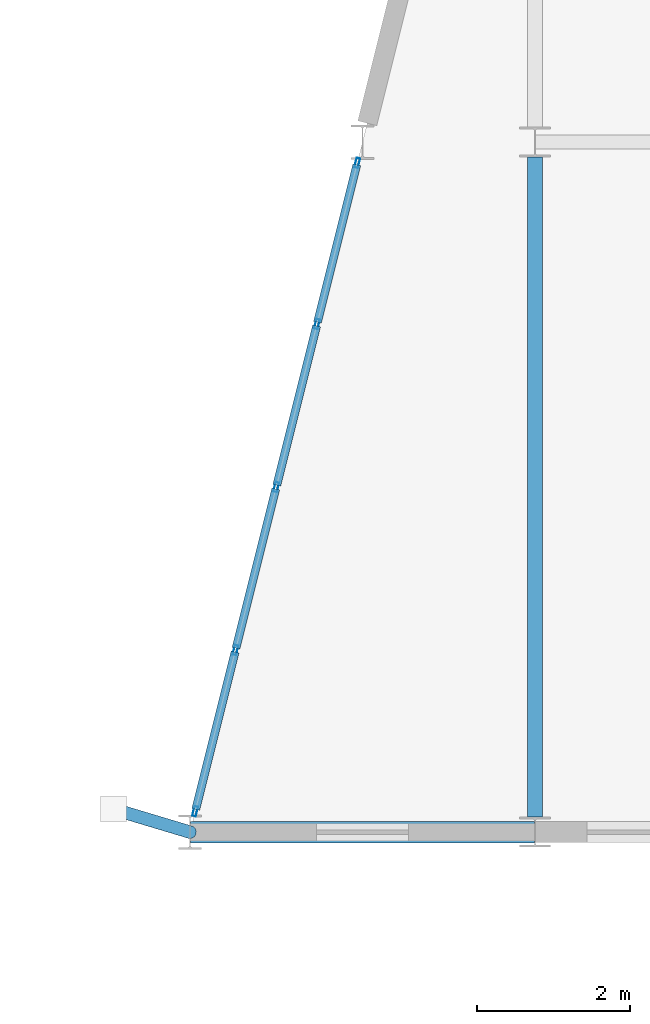
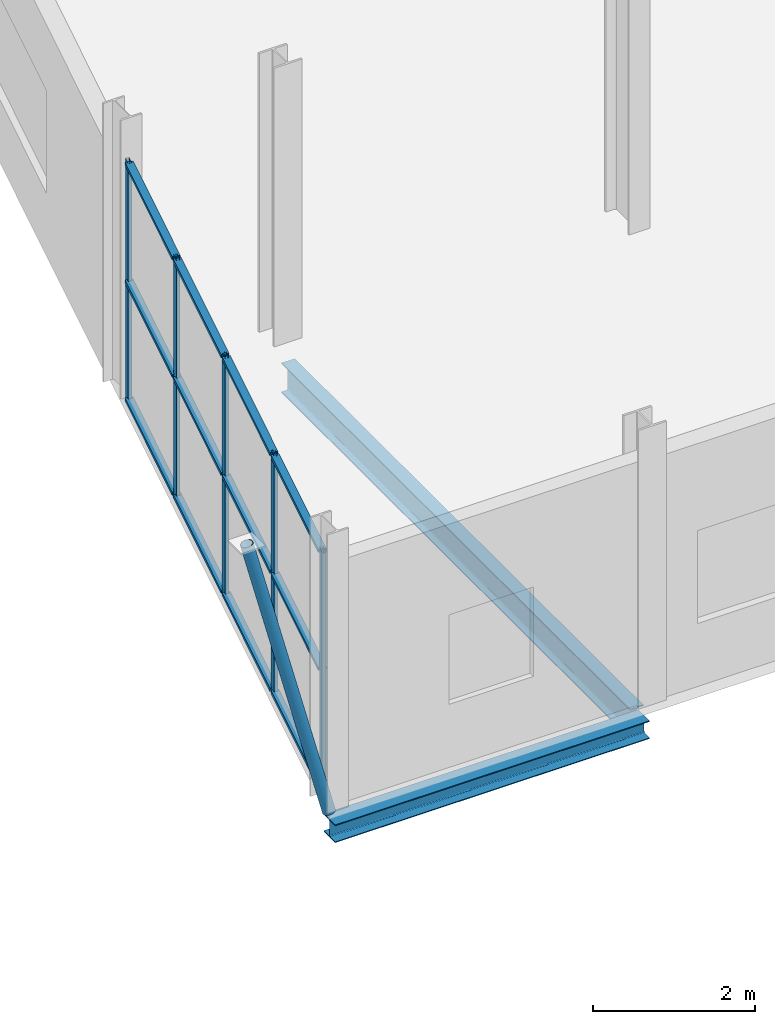
# One storey, part 15 of 88: 18 members, 2 beams, 1 element without a shape of its own.
"""IFC4 building model written with IfcOpenShell, lengths in metres."""

from ifc_helpers import new_model, si_unit, direction, frame, origin, origin_2d, place, context, subcontext, project, spatial, hollow_rectangle, hollow_circle, i_section, extrude, material, layer, layer_set, material_profile, profile_set, type_object, element, aggregate, save


model = new_model("IFC4")

# Units and contexts
model_context = context("Model", 3, precision=1e-05, world=origin(), true_north=direction((0.0, 1.0)))
body_context = subcontext(model_context, "Body", "Model", "MODEL_VIEW")
ifc_project = project(units=[si_unit("LENGTHUNIT", "METRE"), si_unit("AREAUNIT", "SQUARE_METRE"), si_unit("VOLUMEUNIT", "CUBIC_METRE"), si_unit("PLANEANGLEUNIT", "RADIAN"), si_unit("MASSUNIT", "GRAM", prefix="KILO")], contexts=[model_context])

# Site, building, storey
site_placement = place(None, origin())
site = spatial("IfcSite", under=ifc_project, at=site_placement, CompositionType="ELEMENT")
building_placement = place(site_placement, origin())
building = spatial("IfcBuilding", under=site, at=building_placement, Name="Deido Ridge Mobility Hub", CompositionType="ELEMENT")
storey_placement = place(building_placement, frame((0.0, 0.0, 16.800048828125)))
storey = spatial("IfcBuildingStorey", under=building, at=storey_placement, Name="L04", CompositionType="ELEMENT", Elevation=16.800048828125)

# Beam
ifc_material_1 = material(Name="Steel S355J2 EN 10025-2", Category="steel")
ifc_material_profile_1 = material_profile(ifc_material_1, i_section(OverallWidth=0.18994140625, OverallDepth=0.449951171875, WebThickness=0.009521484375, FlangeThickness=0.0146484375, FilletRadius=0.02099609375, at=origin_2d()), Name="IPE 450")
ifc_profile_set_1 = profile_set([ifc_material_profile_1], Name="Steel S355J2 EN 10025-2")
beam_type_1 = type_object("IfcBeamType", Name="BM-IPE450", PredefinedType="BEAM", material=ifc_profile_set_1)
beam_1_placement = place(storey_placement, frame((126.0, 0.196533203125, -0.5), z_axis=(0.0, 1.0, 0.0), x_axis=(-1.0, 0.0, 0.0)))
element("IfcBeam", 1, at=beam_1_placement, inside=storey, type_object=beam_type_1, Name="Floor beam B4", PredefinedType="BEAM", context=body_context, shape_type="SweptSolid", body=[
    extrude(i_section(OverallWidth=0.18994140625, OverallDepth=0.449951171875, WebThickness=0.009521484375, FlangeThickness=0.0146484375, FilletRadius=0.02099609375, at=origin_2d()), origin(), (0.0, 0.0, 1.0), 8.60693359375),
])

# Curtain wall, members
ifc_material_2 = material(Name="Anodised aluminium EN AW-6063 T6", Category="aluminium")
ifc_layer = layer(ifc_material_2, 0.179931640625, Name="Anodised aluminium EN AW-6063 T6")
ifc_layer_set = layer_set([ifc_layer], Name="Anodised aluminium EN AW-6063 T6")
curtain_wall_type = type_object("IfcCurtainWallType", Name="CW-UF-2", PredefinedType="USERDEFINED", material=ifc_layer_set)
curtain_wall_placement = place(storey_placement, origin())
curtain_wall = element("IfcCurtainWall", 2, at=curtain_wall_placement, inside=storey, type_object=curtain_wall_type, Name="Unitised curtain wall CW2", ObjectType="UNITISED FACADE", PredefinedType="USERDEFINED")
ifc_material_profile_2 = material_profile(ifc_material_2, hollow_rectangle(XDim=0.050048828125, YDim=0.1298828125, WallThickness=0.00390625, at=origin_2d()), Name="RHS 50x130x4")
ifc_profile_set_2 = profile_set([ifc_material_profile_2], Name="Anodised aluminium EN AW-6063 T6")
member_type_1 = type_object("IfcMemberType", Name="MEM-MUL-50X130", PredefinedType="MULLION", material=ifc_profile_set_2)
member_1_placement = place(storey_placement, frame((121.56787109375, 0.271240234375, 0.0), z_axis=(0.0, 0.0, 1.0), x_axis=(-0.970143841976, 0.242530257651, 0.0)))
member_1 = element("IfcMember", 3, at=member_1_placement, type_object=member_type_1, Name="CW2 mullion 1", PredefinedType="MULLION", context=body_context, shape_type="SweptSolid", body=[
    extrude(hollow_rectangle(XDim=0.050048828125, YDim=0.1298828125, WallThickness=0.00390625, at=origin_2d()), origin(), (0.0, 0.0, 1.0), 3.599853515625),
])
member_2_placement = place(storey_placement, frame((122.093505859375, 2.37353515625, 0.0), z_axis=(0.0, 0.0, 1.0), x_axis=(-0.970143841976, 0.242530257651, 0.0)))
member_2 = element("IfcMember", 4, at=member_2_placement, type_object=member_type_1, Name="CW2 mullion 2", PredefinedType="MULLION", context=body_context, shape_type="SweptSolid", body=[
    extrude(hollow_rectangle(XDim=0.050048828125, YDim=0.1298828125, WallThickness=0.00390625, at=origin_2d()), origin(), (0.0, 0.0, 1.0), 3.599853515625),
])
member_3_placement = place(storey_placement, frame((122.625, 4.5, 0.0), z_axis=(0.0, 0.0, 1.0), x_axis=(-0.970143841976, 0.242530257651, 0.0)))
member_3 = element("IfcMember", 5, at=member_3_placement, type_object=member_type_1, Name="CW2 mullion 3", PredefinedType="MULLION", context=body_context, shape_type="SweptSolid", body=[
    extrude(hollow_rectangle(XDim=0.050048828125, YDim=0.1298828125, WallThickness=0.00390625, at=origin_2d()), origin(), (0.0, 0.0, 1.0), 3.599853515625),
])
member_4_placement = place(storey_placement, frame((123.156494140625, 6.62646484375, 0.0), z_axis=(0.0, 0.0, 1.0), x_axis=(-0.970143841976, 0.242530257651, 0.0)))
member_4 = element("IfcMember", 6, at=member_4_placement, type_object=member_type_1, Name="CW2 mullion 4", PredefinedType="MULLION", context=body_context, shape_type="SweptSolid", body=[
    extrude(hollow_rectangle(XDim=0.050048828125, YDim=0.1298828125, WallThickness=0.00390625, at=origin_2d()), origin(), (0.0, 0.0, 1.0), 3.599853515625),
])
member_5_placement = place(storey_placement, frame((123.68212890625, 8.728759765625, 0.0), z_axis=(0.0, 0.0, 1.0), x_axis=(-0.970143841976, 0.242530257651, 0.0)))
member_5 = element("IfcMember", 7, at=member_5_placement, type_object=member_type_1, Name="CW2 mullion 5", PredefinedType="MULLION", context=body_context, shape_type="SweptSolid", body=[
    extrude(hollow_rectangle(XDim=0.050048828125, YDim=0.1298828125, WallThickness=0.00390625, at=origin_2d()), origin(), (0.0, 0.0, 1.0), 3.599853515625),
])

# Member
ifc_material_3 = material(Name="Steel S355J2H EN 10210-1", Category="steel")
ifc_material_profile_3 = material_profile(ifc_material_3, hollow_circle(Radius=0.084228515625, WallThickness=0.008056640625, at=origin_2d()), Name="CHS 168.3x8")
ifc_profile_set_3 = profile_set([ifc_material_profile_3], Name="Steel S355J2H EN 10210-1")
member_type_2 = type_object("IfcMemberType", Name="MEM-STR-CHS168", PredefinedType="STRUT", material=ifc_profile_set_3)
member_6_placement = place(storey_placement, frame((121.5, 0.0, -0.150146484375), z_axis=(-0.231053074266, 0.069327204168, 0.970468039471), x_axis=(-0.287390791914, -0.957813412269, 0.0)))
element("IfcMember", 8, at=member_6_placement, inside=storey, type_object=member_type_2, Name="Deconstructivist facade diagrid strut SR1", PredefinedType="STRUT", context=body_context, shape_type="SweptSolid", body=[
    extrude(hollow_circle(Radius=0.084228515625, WallThickness=0.008056640625, at=origin_2d()), origin(), (0.0, 0.0, 1.0), 4.328125),
])

ifc_material_profile_4 = material_profile(ifc_material_2, hollow_rectangle(XDim=0.10498046875, YDim=0.050048828125, WallThickness=0.00390625, at=origin_2d()), Name="RHS 105x50x4")
ifc_profile_set_4 = profile_set([ifc_material_profile_4], Name="Anodised aluminium EN AW-6063 T6")
member_type_3 = type_object("IfcMemberType", Name="MEM-TRN-105X50", PredefinedType="USERDEFINED", material=ifc_profile_set_4)
member_7_placement = place(storey_placement, frame((121.573974609375, 0.295654296875, 0.02490234375), z_axis=(0.242535625036, 0.970142500145, 0.0), x_axis=(-0.970142500145, 0.242535625036, 0.0)))
member_7 = element("IfcMember", 9, at=member_7_placement, type_object=member_type_3, Name="CW2 transom 1.1", ObjectType="TRANSOM", PredefinedType="USERDEFINED", context=body_context, shape_type="SweptSolid", body=[
    extrude(hollow_rectangle(XDim=0.10498046875, YDim=0.050048828125, WallThickness=0.00390625, at=origin_2d()), origin(), (0.0, 0.0, 1.0), 2.116943359375),
])

member_8_placement = place(storey_placement, frame((121.573974609375, 0.295654296875, 1.800048828125), z_axis=(0.242535625036, 0.970142500145, 0.0), x_axis=(-0.970142500145, 0.242535625036, 0.0)))
member_8 = element("IfcMember", 10, at=member_8_placement, type_object=member_type_3, Name="CW2 transom 1.2", ObjectType="TRANSOM", PredefinedType="USERDEFINED", context=body_context, shape_type="SweptSolid", body=[
    extrude(hollow_rectangle(XDim=0.10498046875, YDim=0.050048828125, WallThickness=0.00390625, at=origin_2d()), origin(), (0.0, 0.0, 1.0), 2.116943359375),
])

member_9_placement = place(storey_placement, frame((121.573974609375, 0.295654296875, 3.574951171875), z_axis=(0.242535625036, 0.970142500145, 0.0), x_axis=(-0.970142500145, 0.242535625036, 0.0)))
member_9 = element("IfcMember", 11, at=member_9_placement, type_object=member_type_3, Name="CW2 transom 1.3", ObjectType="TRANSOM", PredefinedType="USERDEFINED", context=body_context, shape_type="SweptSolid", body=[
    extrude(hollow_rectangle(XDim=0.10498046875, YDim=0.050048828125, WallThickness=0.00390625, at=origin_2d()), origin(), (0.0, 0.0, 1.0), 2.116943359375),
])

member_10_placement = place(storey_placement, frame((122.099365234375, 2.397705078125, 0.02490234375), z_axis=(0.242535625036, 0.970142500145, 0.0), x_axis=(-0.970142500145, 0.242535625036, 0.0)))
member_10 = element("IfcMember", 12, at=member_10_placement, type_object=member_type_3, Name="CW2 transom 2.1", ObjectType="TRANSOM", PredefinedType="USERDEFINED", context=body_context, shape_type="SweptSolid", body=[
    extrude(hollow_rectangle(XDim=0.10498046875, YDim=0.050048828125, WallThickness=0.00390625, at=origin_2d()), origin(), (0.0, 0.0, 1.0), 2.14208984375),
])

member_11_placement = place(storey_placement, frame((122.099365234375, 2.397705078125, 1.800048828125), z_axis=(0.242535625036, 0.970142500145, 0.0), x_axis=(-0.970142500145, 0.242535625036, 0.0)))
member_11 = element("IfcMember", 13, at=member_11_placement, type_object=member_type_3, Name="CW2 transom 2.2", ObjectType="TRANSOM", PredefinedType="USERDEFINED", context=body_context, shape_type="SweptSolid", body=[
    extrude(hollow_rectangle(XDim=0.10498046875, YDim=0.050048828125, WallThickness=0.00390625, at=origin_2d()), origin(), (0.0, 0.0, 1.0), 2.14208984375),
])

member_12_placement = place(storey_placement, frame((122.099365234375, 2.397705078125, 3.574951171875), z_axis=(0.242535625036, 0.970142500145, 0.0), x_axis=(-0.970142500145, 0.242535625036, 0.0)))
member_12 = element("IfcMember", 14, at=member_12_placement, type_object=member_type_3, Name="CW2 transom 2.3", ObjectType="TRANSOM", PredefinedType="USERDEFINED", context=body_context, shape_type="SweptSolid", body=[
    extrude(hollow_rectangle(XDim=0.10498046875, YDim=0.050048828125, WallThickness=0.00390625, at=origin_2d()), origin(), (0.0, 0.0, 1.0), 2.14208984375),
])

member_13_placement = place(storey_placement, frame((122.631103515625, 4.524169921875, 0.02490234375), z_axis=(0.242535625036, 0.970142500145, 0.0), x_axis=(-0.970142500145, 0.242535625036, 0.0)))
member_13 = element("IfcMember", 15, at=member_13_placement, type_object=member_type_3, Name="CW2 transom 3.1", ObjectType="TRANSOM", PredefinedType="USERDEFINED", context=body_context, shape_type="SweptSolid", body=[
    extrude(hollow_rectangle(XDim=0.10498046875, YDim=0.050048828125, WallThickness=0.00390625, at=origin_2d()), origin(), (0.0, 0.0, 1.0), 2.14208984375),
])

member_14_placement = place(storey_placement, frame((122.631103515625, 4.524169921875, 1.800048828125), z_axis=(0.242535625036, 0.970142500145, 0.0), x_axis=(-0.970142500145, 0.242535625036, 0.0)))
member_14 = element("IfcMember", 16, at=member_14_placement, type_object=member_type_3, Name="CW2 transom 3.2", ObjectType="TRANSOM", PredefinedType="USERDEFINED", context=body_context, shape_type="SweptSolid", body=[
    extrude(hollow_rectangle(XDim=0.10498046875, YDim=0.050048828125, WallThickness=0.00390625, at=origin_2d()), origin(), (0.0, 0.0, 1.0), 2.14208984375),
])

member_15_placement = place(storey_placement, frame((122.631103515625, 4.524169921875, 3.574951171875), z_axis=(0.242535625036, 0.970142500145, 0.0), x_axis=(-0.970142500145, 0.242535625036, 0.0)))
member_15 = element("IfcMember", 17, at=member_15_placement, type_object=member_type_3, Name="CW2 transom 3.3", ObjectType="TRANSOM", PredefinedType="USERDEFINED", context=body_context, shape_type="SweptSolid", body=[
    extrude(hollow_rectangle(XDim=0.10498046875, YDim=0.050048828125, WallThickness=0.00390625, at=origin_2d()), origin(), (0.0, 0.0, 1.0), 2.14208984375),
])

member_16_placement = place(storey_placement, frame((123.16259765625, 6.650634765625, 0.02490234375), z_axis=(0.242535625036, 0.970142500145, 0.0), x_axis=(-0.970142500145, 0.242535625036, 0.0)))
member_16 = element("IfcMember", 18, at=member_16_placement, type_object=member_type_3, Name="CW2 transom 4.1", ObjectType="TRANSOM", PredefinedType="USERDEFINED", context=body_context, shape_type="SweptSolid", body=[
    extrude(hollow_rectangle(XDim=0.10498046875, YDim=0.050048828125, WallThickness=0.00390625, at=origin_2d()), origin(), (0.0, 0.0, 1.0), 2.116943359375),
])

member_17_placement = place(storey_placement, frame((123.16259765625, 6.650634765625, 1.800048828125), z_axis=(0.242535625036, 0.970142500145, 0.0), x_axis=(-0.970142500145, 0.242535625036, 0.0)))
member_17 = element("IfcMember", 19, at=member_17_placement, type_object=member_type_3, Name="CW2 transom 4.2", ObjectType="TRANSOM", PredefinedType="USERDEFINED", context=body_context, shape_type="SweptSolid", body=[
    extrude(hollow_rectangle(XDim=0.10498046875, YDim=0.050048828125, WallThickness=0.00390625, at=origin_2d()), origin(), (0.0, 0.0, 1.0), 2.116943359375),
])

member_18_placement = place(storey_placement, frame((123.16259765625, 6.650634765625, 3.574951171875), z_axis=(0.242535625036, 0.970142500145, 0.0), x_axis=(-0.970142500145, 0.242535625036, 0.0)))
member_18 = element("IfcMember", 20, at=member_18_placement, type_object=member_type_3, Name="CW2 transom 4.3", ObjectType="TRANSOM", PredefinedType="USERDEFINED", context=body_context, shape_type="SweptSolid", body=[
    extrude(hollow_rectangle(XDim=0.10498046875, YDim=0.050048828125, WallThickness=0.00390625, at=origin_2d()), origin(), (0.0, 0.0, 1.0), 2.116943359375),
])

aggregate(curtain_wall, [member_1, member_2, member_3, member_4, member_5, member_7, member_8, member_9, member_10, member_11, member_12, member_13, member_14, member_15, member_16, member_17, member_18])

# Beam
ifc_material_profile_5 = material_profile(ifc_material_1, i_section(OverallWidth=0.280029296875, OverallDepth=0.27001953125, WebThickness=0.008056640625, FlangeThickness=0.012939453125, FilletRadius=0.02392578125, at=origin_2d()), Name="HEA 280")
ifc_profile_set_5 = profile_set([ifc_material_profile_5], Name="Steel S355J2 EN 10025-2")
beam_type_2 = type_object("IfcBeamType", Name="SPD-HEA280", PredefinedType="SPANDREL", material=ifc_profile_set_5)
beam_2_placement = place(storey_placement, frame((121.507080078125, 0.0, -0.41015625), z_axis=(1.0, 0.0, 0.0), x_axis=(0.0, 1.0, 0.0)))
element("IfcBeam", 21, at=beam_2_placement, inside=storey, type_object=beam_type_2, Name="Floor beam SP2", PredefinedType="SPANDREL", context=body_context, shape_type="SweptSolid", body=[
    extrude(i_section(OverallWidth=0.280029296875, OverallDepth=0.27001953125, WebThickness=0.008056640625, FlangeThickness=0.012939453125, FilletRadius=0.02392578125, at=origin_2d()), origin(), (0.0, 0.0, 1.0), 4.484130859375),
])

save(model, "model.ifc")
